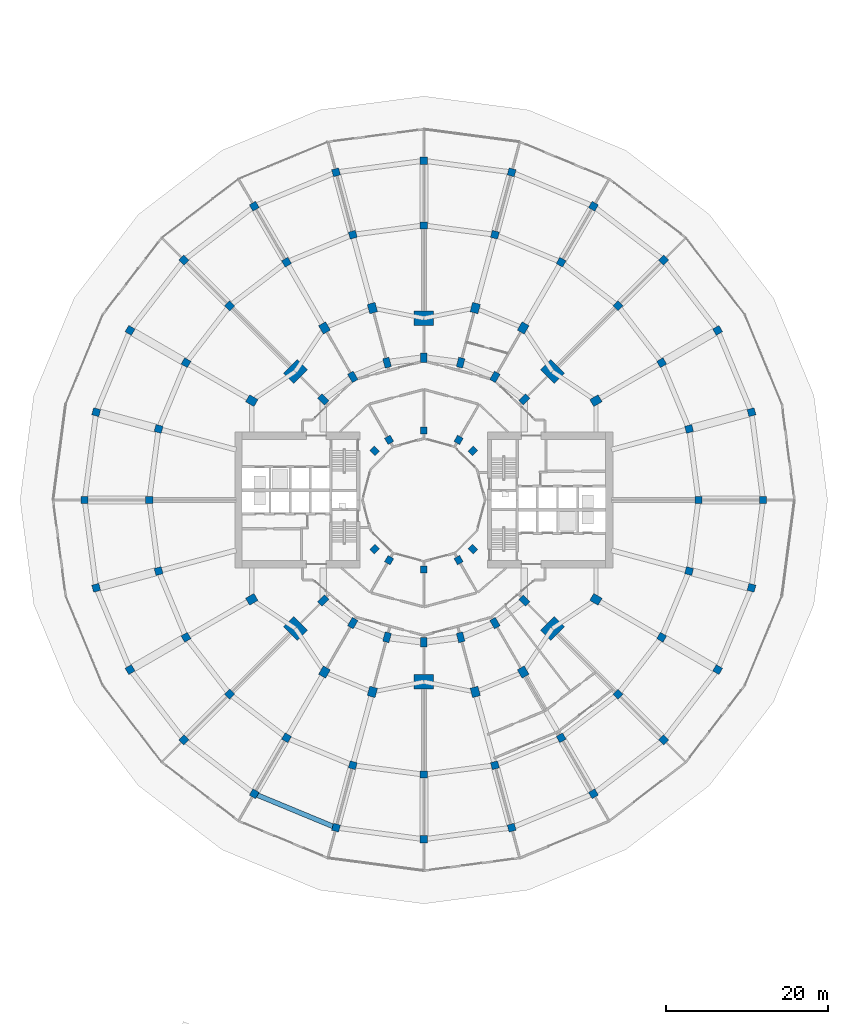
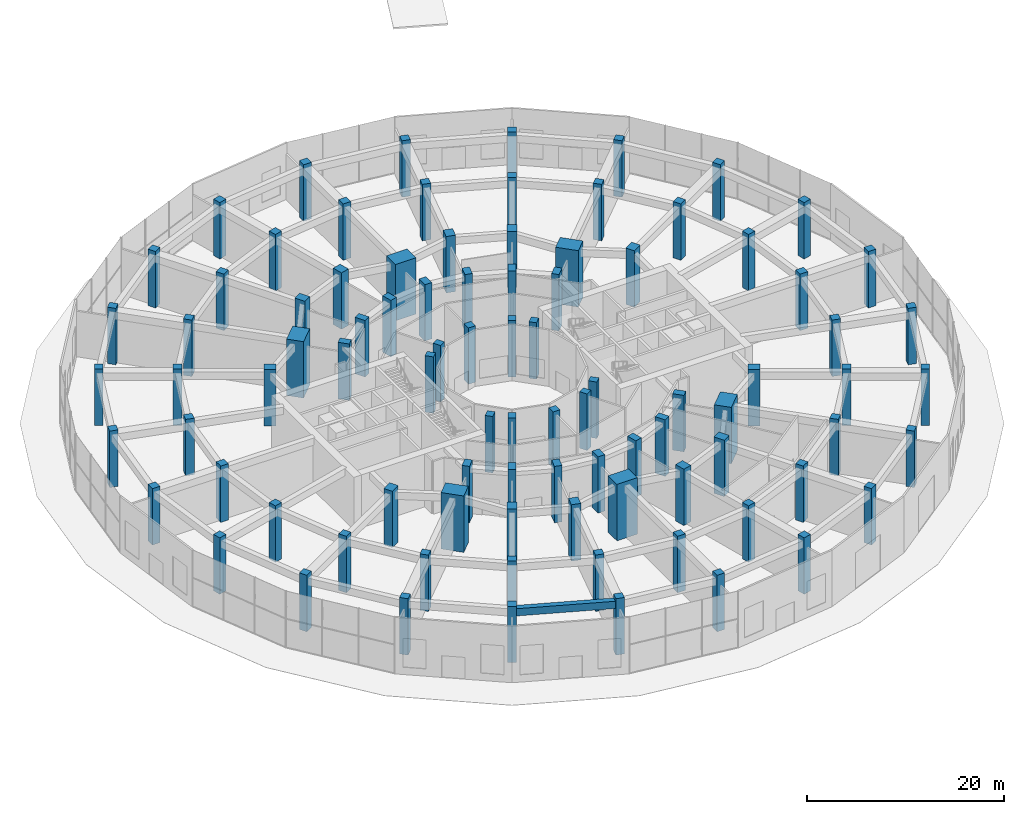
# One storey, part 1 of 31: 90 columns, 1 beam.
"""IFC4 building model written with IfcOpenShell, lengths in metres."""

from ifc_helpers import new_model, si_unit, direction, frame, origin, origin_2d, place, context, subcontext, project, spatial, rectangle, extrude, material, material_profile, profile_set, type_object, element, save


model = new_model("IFC4")

# Units and contexts
model_context = context("Model", 3, precision=1e-05, world=origin(), true_north=direction((0.0, 1.0)))
body_context = subcontext(model_context, "Body", "Model", "MODEL_VIEW")
ifc_project = project(units=[si_unit("LENGTHUNIT", "METRE"), si_unit("AREAUNIT", "SQUARE_METRE"), si_unit("VOLUMEUNIT", "CUBIC_METRE"), si_unit("PLANEANGLEUNIT", "RADIAN"), si_unit("MASSUNIT", "GRAM", prefix="KILO")], contexts=[model_context])

# Site, building, storey
site_placement = place(None, origin())
site = spatial("IfcSite", under=ifc_project, at=site_placement, CompositionType="ELEMENT")
building_placement = place(site_placement, origin())
building = spatial("IfcBuilding", under=site, at=building_placement, Name="Torre Brocal", CompositionType="ELEMENT")
storey_placement = place(building_placement, origin())
storey = spatial("IfcBuildingStorey", under=building, at=storey_placement, Name="L00", CompositionType="ELEMENT", Elevation=0.0)

# Columns
ifc_material_1 = material(Name="Concrete C80", Category="concrete")
ifc_material_profile_1 = material_profile(ifc_material_1, rectangle(XDim=1.199951171875, YDim=1.0, at=origin_2d()), Name="RC 1200X1000")
ifc_profile_set_1 = profile_set([ifc_material_profile_1], Name="Concrete C80")
column_type_1 = type_object("IfcColumnType", Name="RC COLUMN 1200X1000 C80", PredefinedType="COLUMN", material=ifc_profile_set_1)
for number, where, z_axis, x_axis, name in (
    (1, (101.30419921875, 87.300048828125, 0.0), (0.0, 0.0, 1.0), (0.866025403784, 0.5, 0.0), "Column C-O02"),
    (2, (92.300048828125, 96.30419921875, 0.0), (0.0, 0.0, 1.0), (0.5, 0.866025403784, 0.0), "Column C-O04"),
    (3, (86.366943359375, 98.76171875, 0.0), (0.0, 0.0, 1.0), (0.258819045103, 0.965925826289, 0.0), "Column C-O05"),
    (4, (73.633056640625, 98.76171875, 0.0), (0.0, 0.0, 1.0), (-0.258819045103, 0.965925826289, 0.0), "Column C-O07"),
    (5, (67.699951171875, 96.30419921875, 0.0), (0.0, 0.0, 1.0), (-0.5, 0.866025403784, 0.0), "Column C-O08"),
    (6, (58.69580078125, 87.300048828125, 0.0), (0.0, 0.0, 1.0), (-0.866025403784, 0.5, 0.0), "Column C-O10"),
    (7, (58.69580078125, 62.699951171875, 0.0), (0.0, 0.0, 1.0), (-0.866025403784, -0.5, 0.0), "Column C-O14"),
    (8, (67.699951171875, 53.69580078125, 0.0), (0.0, 0.0, 1.0), (-0.5, -0.866025403784, 0.0), "Column C-O16"),
    (9, (73.633056640625, 51.23828125, 0.0), (0.0, 0.0, 1.0), (-0.258819045103, -0.965925826289, 0.0), "Column C-O17"),
    (10, (86.366943359375, 51.23828125, 0.0), (0.0, 0.0, 1.0), (0.258819045103, -0.965925826289, 0.0), "Column C-O19"),
    (11, (92.300048828125, 53.69580078125, 0.0), (0.0, 0.0, 1.0), (0.5, -0.866025403784, 0.0), "Column C-O20"),
    (12, (101.30419921875, 62.699951171875, 0.0), (0.0, 0.0, 1.0), (0.866025403784, -0.5, 0.0), "Column C-O22"),
):
    element("IfcColumn", number, at=place(storey_placement, frame(where, z_axis=z_axis, x_axis=x_axis)), inside=storey, type_object=column_type_1, Name=name, PredefinedType="COLUMN", context=body_context, shape_type="SweptSolid", body=[
        extrude(rectangle(XDim=1.199951171875, YDim=1.0, at=origin_2d()), origin(), (0.0, 0.0, 1.0), 7.0),
    ])
ifc_material_2 = material(Name="Concrete C80", Category="concrete")
ifc_material_profile_2 = material_profile(ifc_material_2, rectangle(XDim=1.199951171875, YDim=0.800048828125, at=origin_2d()), Name="RC 1200X800")
ifc_profile_set_2 = profile_set([ifc_material_profile_2], Name="Concrete C80")
column_type_2 = type_object("IfcColumnType", Name="RC COLUMN 1200X800 C80", PredefinedType="COLUMN", material=ifc_profile_set_2)
for number, where, z_axis, x_axis, name in (
    (13, (92.445068359375, 87.445068359375, 0.0), (0.0, 0.0, 1.0), (0.707106781187, 0.707106781187, 0.0), "Column C-M03"),
    (14, (88.800048828125, 90.241943359375, 0.0), (0.0, 0.0, 1.0), (0.5, 0.866025403784, 0.0), "Column C-M04"),
    (15, (84.55517578125, 92.000244140625, 0.0), (0.0, 0.0, 1.0), (0.258819045103, 0.965925826289, 0.0), "Column C-M05"),
    (16, (80.0, 92.60009765625, 0.0), (0.0, 0.0, 1.0), (0.0, 1.0, 0.0), "Column C-M06"),
    (17, (75.44482421875, 92.000244140625, 0.0), (0.0, 0.0, 1.0), (-0.258819045103, 0.965925826289, 0.0), "Column C-M07"),
    (18, (71.199951171875, 90.241943359375, 0.0), (0.0, 0.0, 1.0), (-0.5, 0.866025403784, 0.0), "Column C-M08"),
    (19, (67.554931640625, 87.445068359375, 0.0), (0.0, 0.0, 1.0), (-0.707106781187, 0.707106781187, 0.0), "Column C-M09"),
    (20, (67.554931640625, 62.554931640625, 0.0), (0.0, 0.0, 1.0), (-0.707106781187, -0.707106781187, 0.0), "Column C-M15"),
    (21, (71.199951171875, 59.758056640625, 0.0), (0.0, 0.0, 1.0), (-0.5, -0.866025403784, 0.0), "Column C-M16"),
    (22, (75.44482421875, 57.999755859375, 0.0), (0.0, 0.0, 1.0), (-0.258819045103, -0.965925826289, 0.0), "Column C-M17"),
    (23, (80.0, 57.39990234375, 0.0), (0.0, 0.0, 1.0), (0.0, -1.0, 0.0), "Column C-M18"),
    (24, (84.55517578125, 57.999755859375, 0.0), (0.0, 0.0, 1.0), (0.258819045103, -0.965925826289, 0.0), "Column C-M19"),
    (25, (88.800048828125, 59.758056640625, 0.0), (0.0, 0.0, 1.0), (0.5, -0.866025403784, 0.0), "Column C-M20"),
    (26, (92.445068359375, 62.554931640625, 0.0), (0.0, 0.0, 1.0), (0.707106781187, -0.707106781187, 0.0), "Column C-M21"),
):
    element("IfcColumn", number, at=place(storey_placement, frame(where, z_axis=z_axis, x_axis=x_axis)), inside=storey, type_object=column_type_2, Name=name, PredefinedType="COLUMN", context=body_context, shape_type="SweptSolid", body=[
        extrude(rectangle(XDim=1.199951171875, YDim=0.800048828125, at=origin_2d()), origin(), (0.0, 0.0, 1.0), 7.0),
    ])
ifc_material_3 = material(Name="Concrete C80", Category="concrete")
ifc_material_profile_3 = material_profile(ifc_material_3, rectangle(XDim=1.800048828125, YDim=2.39990234375, at=origin_2d()), Name="RC 1800X2400")
ifc_profile_set_3 = profile_set([ifc_material_profile_3], Name="Concrete C80")
column_type_3 = type_object("IfcColumnType", Name="RC COLUMN 1800X2400 C80", PredefinedType="COLUMN", material=ifc_profile_set_3)
for number, where, z_axis, x_axis, name in (
    (27, (95.909912109375, 90.909912109375, 0.0), (0.0, 0.0, 1.0), (0.707106781187, 0.707106781187, 0.0), "Column MC-1"),
    (28, (80.0, 97.5, 0.0), (0.0, 0.0, 1.0), (0.0, 1.0, 0.0), "Column MC-2"),
    (29, (64.090087890625, 90.909912109375, 0.0), (0.0, 0.0, 1.0), (-0.707106781187, 0.707106781187, 0.0), "Column MC-3"),
    (30, (64.090087890625, 59.090087890625, 0.0), (0.0, 0.0, 1.0), (-0.707106781187, -0.707106781187, 0.0), "Column MC-5"),
    (31, (80.0, 52.5, 0.0), (0.0, 0.0, 1.0), (0.0, -1.0, 0.0), "Column MC-6"),
    (32, (95.909912109375, 59.090087890625, 0.0), (0.0, 0.0, 1.0), (0.707106781187, -0.707106781187, 0.0), "Column MC-7"),
):
    element("IfcColumn", number, at=place(storey_placement, frame(where, z_axis=z_axis, x_axis=x_axis)), inside=storey, type_object=column_type_3, Name=name, PredefinedType="COLUMN", context=body_context, shape_type="SweptSolid", body=[
        extrude(rectangle(XDim=1.800048828125, YDim=2.39990234375, at=origin_2d()), origin(), (0.0, 0.0, 1.0), 7.0),
    ])
ifc_material_4 = material(Name="Concrete C80", Category="concrete")
ifc_material_profile_4 = material_profile(ifc_material_4, rectangle(XDim=0.89990234375, YDim=0.800048828125, at=origin_2d()), Name="RC 900X800")
ifc_profile_set_4 = profile_set([ifc_material_profile_4], Name="Concrete C80")
column_type_4 = type_object("IfcColumnType", Name="RC COLUMN 900X800 C80", PredefinedType="COLUMN", material=ifc_profile_set_4)
for number, where, z_axis, x_axis, name in (
    (33, (86.0810546875, 81.0810546875, 0.0), (0.0, 0.0, 1.0), (0.707106781187, 0.707106781187, 0.0), "Column C-I03"),
    (34, (84.300048828125, 82.44775390625, 0.0), (0.0, 0.0, 1.0), (0.5, 0.866025403784, 0.0), "Column C-I04"),
    (35, (80.0, 83.60009765625, 0.0), (0.0, 0.0, 1.0), (0.0, 1.0, 0.0), "Column C-I06"),
    (36, (75.699951171875, 82.44775390625, 0.0), (0.0, 0.0, 1.0), (-0.5, 0.866025403784, 0.0), "Column C-I08"),
    (37, (73.9189453125, 81.0810546875, 0.0), (0.0, 0.0, 1.0), (-0.707106781187, 0.707106781187, 0.0), "Column C-I09"),
    (38, (73.9189453125, 68.9189453125, 0.0), (0.0, 0.0, 1.0), (-0.707106781187, -0.707106781187, 0.0), "Column C-I15"),
    (39, (75.699951171875, 67.55224609375, 0.0), (0.0, 0.0, 1.0), (-0.5, -0.866025403784, 0.0), "Column C-I16"),
    (40, (80.0, 66.39990234375, 0.0), (0.0, 0.0, 1.0), (0.0, -1.0, 0.0), "Column C-I18"),
    (41, (84.300048828125, 67.55224609375, 0.0), (0.0, 0.0, 1.0), (0.5, -0.866025403784, 0.0), "Column C-I20"),
    (42, (86.0810546875, 68.9189453125, 0.0), (0.0, 0.0, 1.0), (0.707106781187, -0.707106781187, 0.0), "Column C-I21"),
):
    element("IfcColumn", number, at=place(storey_placement, frame(where, z_axis=z_axis, x_axis=x_axis)), inside=storey, type_object=column_type_4, Name=name, PredefinedType="COLUMN", context=body_context, shape_type="SweptSolid", body=[
        extrude(rectangle(XDim=0.89990234375, YDim=0.800048828125, at=origin_2d()), origin(), (0.0, 0.0, 1.0), 7.0),
    ])
ifc_material_5 = material(Name="Concrete C80", Category="concrete")
ifc_material_profile_5 = material_profile(ifc_material_5, rectangle(XDim=0.89990234375, YDim=0.89990234375, at=origin_2d()), Name="RC 900X900")
ifc_profile_set_5 = profile_set([ifc_material_profile_5], Name="Concrete C80")
column_type_5 = type_object("IfcColumnType", Name="RC COLUMN 900X900 C80", PredefinedType="COLUMN", material=ifc_profile_set_5)
for number, where, z_axis, x_axis, name in (
    (43, (122.0, 75.0, 0.0), (0.0, 0.0, 1.0), (1.0, 0.0, 0.0), "Column C-PA00"),
    (44, (120.56884765625, 85.870361328125, 0.0), (0.0, 0.0, 1.0), (0.965925826289, 0.258819045103, 0.0), "Column C-PA01"),
    (45, (116.373046875, 96.0, 0.0), (0.0, 0.0, 1.0), (0.866025403784, 0.5, 0.0), "Column C-PA02"),
    (46, (109.698486328125, 104.698486328125, 0.0), (0.0, 0.0, 1.0), (0.707106781187, 0.707106781187, 0.0), "Column C-PA03"),
    (47, (101.0, 111.373046875, 0.0), (0.0, 0.0, 1.0), (0.5, 0.866025403784, 0.0), "Column C-PA04"),
    (48, (90.870361328125, 115.56884765625, 0.0), (0.0, 0.0, 1.0), (0.258819045103, 0.965925826289, 0.0), "Column C-PA05"),
    (49, (80.0, 117.0, 0.0), (0.0, 0.0, 1.0), (0.0, 1.0, 0.0), "Column C-PA06"),
    (50, (69.129638671875, 115.56884765625, 0.0), (0.0, 0.0, 1.0), (-0.258819045103, 0.965925826289, 0.0), "Column C-PA07"),
    (51, (59.0, 111.373046875, 0.0), (0.0, 0.0, 1.0), (-0.5, 0.866025403784, 0.0), "Column C-PA08"),
    (52, (50.301513671875, 104.698486328125, 0.0), (0.0, 0.0, 1.0), (-0.707106781187, 0.707106781187, 0.0), "Column C-PA09"),
    (53, (43.626953125, 96.0, 0.0), (0.0, 0.0, 1.0), (-0.866025403784, 0.5, 0.0), "Column C-PA10"),
    (54, (39.43115234375, 85.870361328125, 0.0), (0.0, 0.0, 1.0), (-0.965925826289, 0.258819045103, 0.0), "Column C-PA11"),
    (55, (38.0, 75.0, 0.0), (0.0, 0.0, 1.0), (-1.0, 0.0, 0.0), "Column C-PA12"),
    (56, (39.43115234375, 64.129638671875, 0.0), (0.0, 0.0, 1.0), (-0.965925826289, -0.258819045103, 0.0), "Column C-PA13"),
    (57, (43.626953125, 54.0, 0.0), (0.0, 0.0, 1.0), (-0.866025403784, -0.5, 0.0), "Column C-PA14"),
    (58, (50.301513671875, 45.301513671875, 0.0), (0.0, 0.0, 1.0), (-0.707106781187, -0.707106781187, 0.0), "Column C-PA15"),
    (59, (59.0, 38.626953125, 0.0), (0.0, 0.0, 1.0), (-0.5, -0.866025403784, 0.0), "Column C-PA16"),
    (60, (69.129638671875, 34.43115234375, 0.0), (0.0, 0.0, 1.0), (-0.258819045103, -0.965925826289, 0.0), "Column C-PA17"),
    (61, (80.0, 33.0, 0.0), (0.0, 0.0, 1.0), (0.0, -1.0, 0.0), "Column C-PA18"),
    (62, (90.870361328125, 34.43115234375, 0.0), (0.0, 0.0, 1.0), (0.258819045103, -0.965925826289, 0.0), "Column C-PA19"),
    (63, (101.0, 38.626953125, 0.0), (0.0, 0.0, 1.0), (0.5, -0.866025403784, 0.0), "Column C-PA20"),
    (64, (109.698486328125, 45.301513671875, 0.0), (0.0, 0.0, 1.0), (0.707106781187, -0.707106781187, 0.0), "Column C-PA21"),
    (65, (116.373046875, 54.0, 0.0), (0.0, 0.0, 1.0), (0.866025403784, -0.5, 0.0), "Column C-PA22"),
    (66, (120.56884765625, 64.129638671875, 0.0), (0.0, 0.0, 1.0), (0.965925826289, -0.258819045103, 0.0), "Column C-PA23"),
    (67, (114.0, 75.0, 0.0), (0.0, 0.0, 1.0), (1.0, 0.0, 0.0), "Column C-PC00"),
    (68, (112.841552734375, 83.7998046875, 0.0), (0.0, 0.0, 1.0), (0.965925826289, 0.258819045103, 0.0), "Column C-PC01"),
    (69, (109.44482421875, 92.0, 0.0), (0.0, 0.0, 1.0), (0.866025403784, 0.5, 0.0), "Column C-PC02"),
    (70, (104.041748046875, 99.041748046875, 0.0), (0.0, 0.0, 1.0), (0.707106781187, 0.707106781187, 0.0), "Column C-PC03"),
    (71, (97.0, 104.44482421875, 0.0), (0.0, 0.0, 1.0), (0.5, 0.866025403784, 0.0), "Column C-PC04"),
    (72, (88.7998046875, 107.841552734375, 0.0), (0.0, 0.0, 1.0), (0.258819045103, 0.965925826289, 0.0), "Column C-PC05"),
    (73, (80.0, 109.0, 0.0), (0.0, 0.0, 1.0), (0.0, 1.0, 0.0), "Column C-PC06"),
    (74, (71.2001953125, 107.841552734375, 0.0), (0.0, 0.0, 1.0), (-0.258819045103, 0.965925826289, 0.0), "Column C-PC07"),
    (75, (63.0, 104.44482421875, 0.0), (0.0, 0.0, 1.0), (-0.5, 0.866025403784, 0.0), "Column C-PC08"),
    (76, (55.958251953125, 99.041748046875, 0.0), (0.0, 0.0, 1.0), (-0.707106781187, 0.707106781187, 0.0), "Column C-PC09"),
    (77, (50.55517578125, 92.0, 0.0), (0.0, 0.0, 1.0), (-0.866025403784, 0.5, 0.0), "Column C-PC10"),
    (78, (47.158447265625, 83.7998046875, 0.0), (0.0, 0.0, 1.0), (-0.965925826289, 0.258819045103, 0.0), "Column C-PC11"),
    (79, (46.0, 75.0, 0.0), (0.0, 0.0, 1.0), (-1.0, 0.0, 0.0), "Column C-PC12"),
    (80, (47.158447265625, 66.2001953125, 0.0), (0.0, 0.0, 1.0), (-0.965925826289, -0.258819045103, 0.0), "Column C-PC13"),
    (81, (50.55517578125, 58.0, 0.0), (0.0, 0.0, 1.0), (-0.866025403784, -0.5, 0.0), "Column C-PC14"),
    (82, (55.958251953125, 50.958251953125, 0.0), (0.0, 0.0, 1.0), (-0.707106781187, -0.707106781187, 0.0), "Column C-PC15"),
    (83, (63.0, 45.55517578125, 0.0), (0.0, 0.0, 1.0), (-0.5, -0.866025403784, 0.0), "Column C-PC16"),
    (84, (71.2001953125, 42.158447265625, 0.0), (0.0, 0.0, 1.0), (-0.258819045103, -0.965925826289, 0.0), "Column C-PC17"),
    (85, (80.0, 41.0, 0.0), (0.0, 0.0, 1.0), (0.0, -1.0, 0.0), "Column C-PC18"),
    (86, (88.7998046875, 42.158447265625, 0.0), (0.0, 0.0, 1.0), (0.258819045103, -0.965925826289, 0.0), "Column C-PC19"),
    (87, (97.0, 45.55517578125, 0.0), (0.0, 0.0, 1.0), (0.5, -0.866025403784, 0.0), "Column C-PC20"),
    (88, (104.041748046875, 50.958251953125, 0.0), (0.0, 0.0, 1.0), (0.707106781187, -0.707106781187, 0.0), "Column C-PC21"),
    (89, (109.44482421875, 58.0, 0.0), (0.0, 0.0, 1.0), (0.866025403784, -0.5, 0.0), "Column C-PC22"),
    (90, (112.841552734375, 66.2001953125, 0.0), (0.0, 0.0, 1.0), (0.965925826289, -0.258819045103, 0.0), "Column C-PC23"),
):
    element("IfcColumn", number, at=place(storey_placement, frame(where, z_axis=z_axis, x_axis=x_axis)), inside=storey, type_object=column_type_5, Name=name, PredefinedType="COLUMN", context=body_context, shape_type="SweptSolid", body=[
        extrude(rectangle(XDim=0.89990234375, YDim=0.89990234375, at=origin_2d()), origin(), (0.0, 0.0, 1.0), 7.0),
    ])

# Beam
ifc_material_6 = material(Name="Concrete C50", Category="concrete")
ifc_material_profile_6 = material_profile(ifc_material_6, rectangle(XDim=0.60009765625, YDim=0.89990234375, at=origin_2d()), Name="RC 600X900")
ifc_profile_set_6 = profile_set([ifc_material_profile_6], Name="Concrete C50")
beam_type = type_object("IfcBeamType", Name="RC BEAM 600X900 C50 TOP 6550", PredefinedType="BEAM", material=ifc_profile_set_6)
beam_placement = place(storey_placement, frame((59.0, 38.626953125, 6.10009765625), z_axis=(0.923880594648, -0.382680868131, 0.0), x_axis=(0.382680868131, 0.923880594648, 0.0)))
element("IfcBeam", 91, at=beam_placement, inside=storey, type_object=beam_type, Name="Beam BT-07", PredefinedType="BEAM", context=body_context, shape_type="SweptSolid", body=[
    extrude(rectangle(XDim=0.60009765625, YDim=0.89990234375, at=origin_2d()), origin(), (0.0, 0.0, 1.0), 10.964111328125),
])

save(model, "model.ifc")
